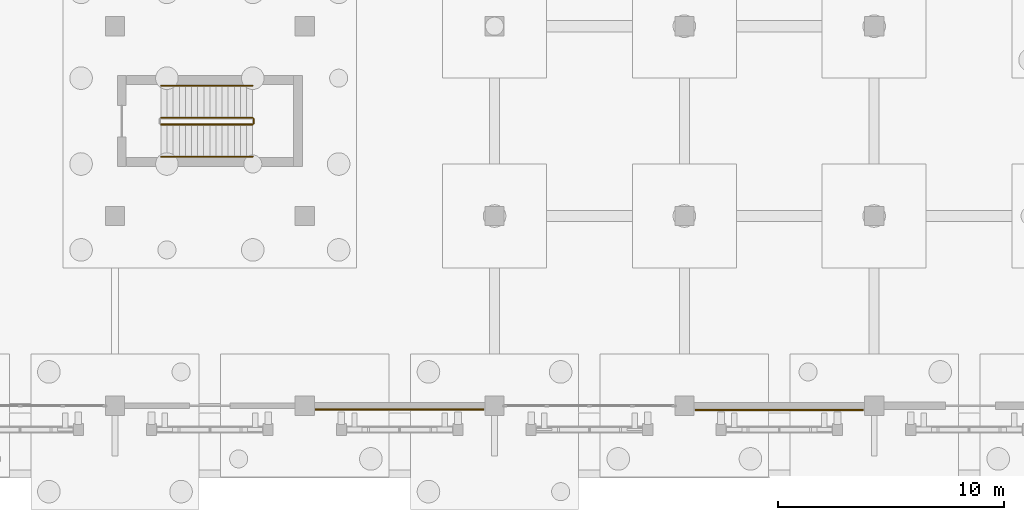
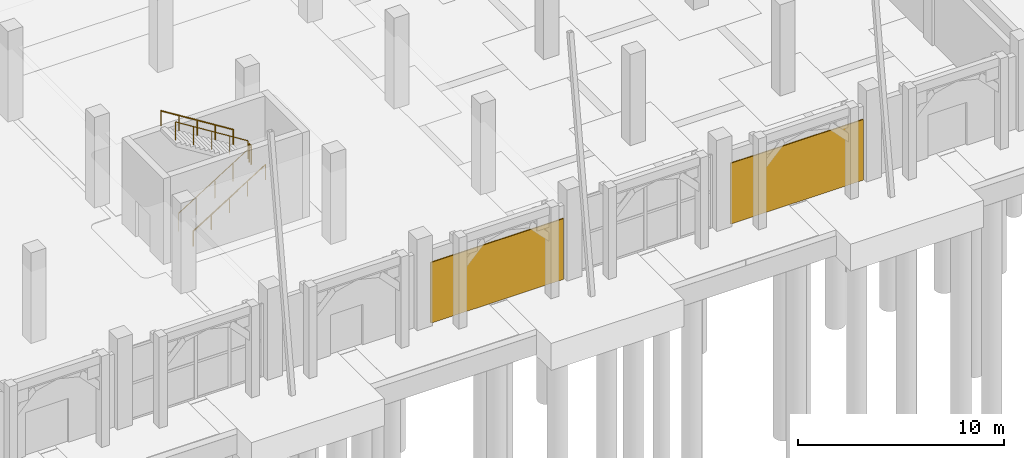
# One storey, part 79 of 98: 5 railings, 2 coverings.
"""IFC4 building model written with IfcOpenShell, lengths in metres."""

from ifc_helpers import new_model, si_unit, direction, frame, origin, origin_2d, place, context, subcontext, project, spatial, rectangle, circle, extrude, material, layer, layer_set, type_object, element, save


model = new_model("IFC4")

# Units and contexts
model_context = context("Model", 3, precision=1e-05, world=origin(), true_north=direction((0.0, 1.0)))
body_context = subcontext(model_context, "Body", "Model", "MODEL_VIEW")
ifc_project = project(units=[si_unit("LENGTHUNIT", "METRE"), si_unit("AREAUNIT", "SQUARE_METRE"), si_unit("VOLUMEUNIT", "CUBIC_METRE"), si_unit("PLANEANGLEUNIT", "RADIAN"), si_unit("MASSUNIT", "GRAM", prefix="KILO")], contexts=[model_context])

# Site, building, storey
site_placement = place(None, origin())
site = spatial("IfcSite", under=ifc_project, at=site_placement, CompositionType="ELEMENT")
building_placement = place(site_placement, origin())
building = spatial("IfcBuilding", under=site, at=building_placement, Name="Xazarin Passage Department Store", CompositionType="ELEMENT")
storey_placement = place(building_placement, origin())
storey = spatial("IfcBuildingStorey", under=building, at=storey_placement, Name="L00", CompositionType="ELEMENT", Elevation=0.0)

# Coverings
ifc_material_1 = material(Name="Absheron limestone cladding", Category="masonry")
ifc_layer = layer(ifc_material_1, 0.06005859375)
ifc_layer_set = layer_set([ifc_layer], Name="Absheron limestone cladding")
covering_type = type_object("IfcCoveringType", Name="ARC-COV-CLD060", PredefinedType="CLADDING", material=ifc_layer_set)
for number, where, z_axis, x_axis, name in (
    (1, (37.800048828125, -0.169921875, 0.0), (0.0, 0.0, 1.0), (1.0, 0.0, 0.0), "L00 Absheron Limestone Plinth Cladding 184"),
    (2, (54.60009765625, -0.179931640625, 0.0), (0.0, 0.0, 1.0), (1.0, 0.0, 0.0), "L00 Absheron Limestone Plinth Cladding 185"),
):
    element("IfcCovering", number, at=place(storey_placement, frame(where, z_axis=z_axis, x_axis=x_axis)), inside=storey, type_object=covering_type, Name=name, PredefinedType="CLADDING", context=body_context, shape_type="SweptSolid", body=[
        extrude(rectangle(XDim=7.449951171875, YDim=0.06005859375, at=origin_2d()), origin(), (0.0, 0.0, 1.0), 3.60009765625),
    ])

# Railings
ifc_material_2 = material(Name="Steel S355", Category="steel")
railing_type_1 = type_object("IfcRailingType", Name="ARC-RL-GRD112", PredefinedType="GUARDRAIL", material=ifc_material_2)
railing_1_placement = place(storey_placement, frame((27.239990234375, 12.449951171875, 0.168701171875)))
element("IfcRailing", 3, at=railing_1_placement, inside=storey, type_object=railing_type_1, Name="L00 ST8 stair guard 1", PredefinedType="GUARDRAIL", context=body_context, shape_type="SweptSolid", body=[
    extrude(circle(Radius=0.02392578125, at=origin_2d()), frame((0.0, 0.0, 1.076171875), z_axis=(0.848001175806, 0.0, 0.529994345094), x_axis=(0.0, 1.0, 0.0)), (0.0, 0.0, 1.0), 4.77587890625),
    extrude(circle(Radius=0.02099609375, at=origin_2d()), origin(), (0.0, 0.0, 1.0), 1.0517578125),
    extrude(circle(Radius=0.02099609375, at=origin_2d()), frame((1.012451171875, 0.0, 0.6328125)), (0.0, 0.0, 1.0), 1.0517578125),
    extrude(circle(Radius=0.02099609375, at=origin_2d()), frame((2.02490234375, 0.0, 1.265625)), (0.0, 0.0, 1.0), 1.0517578125),
    extrude(circle(Radius=0.02099609375, at=origin_2d()), frame((3.03759765625, 0.0, 1.8984375)), (0.0, 0.0, 1.0), 1.0517578125),
    extrude(circle(Radius=0.02099609375, at=origin_2d()), frame((4.050048828125, 0.0, 2.53125)), (0.0, 0.0, 1.0), 1.0517578125),
])
railing_2_placement = place(storey_placement, frame((31.340087890625, 12.5, 2.699951171875)))
element("IfcRailing", 4, at=railing_2_placement, inside=storey, type_object=railing_type_1, Name="L00 ST8 stair guard 2", PredefinedType="GUARDRAIL", context=body_context, shape_type="SweptSolid", body=[
    extrude(circle(Radius=0.02392578125, at=origin_2d()), frame((0.0, 0.0, 1.076171875), z_axis=(0.0, 1.0, 0.0), x_axis=(-1.0, 0.0, 0.0)), (0.0, 0.0, 1.0), 0.199951171875),
    extrude(circle(Radius=0.02099609375, at=origin_2d()), origin(), (0.0, 0.0, 1.0), 1.0517578125),
    extrude(circle(Radius=0.02099609375, at=origin_2d()), frame((0.0, 0.199951171875, 0.0)), (0.0, 0.0, 1.0), 1.0517578125),
])
railing_3_placement = place(storey_placement, frame((31.2900390625, 12.75, 2.86865234375)))
element("IfcRailing", 5, at=railing_3_placement, inside=storey, type_object=railing_type_1, Name="L00 ST8 stair guard 3", PredefinedType="GUARDRAIL", context=body_context, shape_type="SweptSolid", body=[
    extrude(circle(Radius=0.02392578125, at=origin_2d()), frame((0.0, 0.0, 1.076171875), z_axis=(-0.848001175806, 0.0, 0.529994345094), x_axis=(0.0, -1.0, 0.0)), (0.0, 0.0, 1.0), 4.77587890625),
    extrude(circle(Radius=0.02099609375, at=origin_2d()), origin(), (0.0, 0.0, 1.0), 1.0517578125),
    extrude(circle(Radius=0.02099609375, at=origin_2d()), frame((-1.012451171875, 0.0, 0.6328125)), (0.0, 0.0, 1.0), 1.0517578125),
    extrude(circle(Radius=0.02099609375, at=origin_2d()), frame((-2.02490234375, 0.0, 1.265625)), (0.0, 0.0, 1.0), 1.0517578125),
    extrude(circle(Radius=0.02099609375, at=origin_2d()), frame((-3.03759765625, 0.0, 1.8984375)), (0.0, 0.0, 1.0), 1.0517578125),
    extrude(circle(Radius=0.02099609375, at=origin_2d()), frame((-4.050048828125, 0.0, 2.53125)), (0.0, 0.0, 1.0), 1.0517578125),
])
railing_type_2 = type_object("IfcRailingType", Name="ARC-RL-HND090", PredefinedType="HANDRAIL", material=ifc_material_2)
railing_4_placement = place(storey_placement, frame((27.239990234375, 11.030029296875, 0.168701171875)))
element("IfcRailing", 6, at=railing_4_placement, inside=storey, type_object=railing_type_2, Name="L00 ST8 stair handrail 1", PredefinedType="HANDRAIL", context=body_context, shape_type="SweptSolid", body=[
    extrude(circle(Radius=0.02392578125, at=origin_2d()), frame((0.0, 0.0, 0.8759765625), z_axis=(0.848001175806, 0.0, 0.529994345094), x_axis=(0.0, 1.0, 0.0)), (0.0, 0.0, 1.0), 4.77587890625),
    extrude(circle(Radius=0.02099609375, at=origin_2d()), origin(), (0.0, 0.0, 1.0), 0.8515625),
    extrude(circle(Radius=0.02099609375, at=origin_2d()), frame((1.012451171875, 0.0, 0.6328125)), (0.0, 0.0, 1.0), 0.8515625),
    extrude(circle(Radius=0.02099609375, at=origin_2d()), frame((2.02490234375, 0.0, 1.265625)), (0.0, 0.0, 1.0), 0.8515625),
    extrude(circle(Radius=0.02099609375, at=origin_2d()), frame((3.03759765625, 0.0, 1.8984375)), (0.0, 0.0, 1.0), 0.8515625),
    extrude(circle(Radius=0.02099609375, at=origin_2d()), frame((4.050048828125, 0.0, 2.53125)), (0.0, 0.0, 1.0), 0.8515625),
])
railing_5_placement = place(storey_placement, frame((31.2900390625, 14.169921875, 2.86865234375)))
element("IfcRailing", 7, at=railing_5_placement, inside=storey, type_object=railing_type_2, Name="L00 ST8 stair handrail 2", PredefinedType="HANDRAIL", context=body_context, shape_type="SweptSolid", body=[
    extrude(circle(Radius=0.02392578125, at=origin_2d()), frame((0.0, 0.0, 0.8759765625), z_axis=(-0.848001175806, 0.0, 0.529994345094), x_axis=(0.0, -1.0, 0.0)), (0.0, 0.0, 1.0), 4.77587890625),
    extrude(circle(Radius=0.02099609375, at=origin_2d()), origin(), (0.0, 0.0, 1.0), 0.8515625),
    extrude(circle(Radius=0.02099609375, at=origin_2d()), frame((-1.012451171875, 0.0, 0.6328125)), (0.0, 0.0, 1.0), 0.8515625),
    extrude(circle(Radius=0.02099609375, at=origin_2d()), frame((-2.02490234375, 0.0, 1.265625)), (0.0, 0.0, 1.0), 0.8515625),
    extrude(circle(Radius=0.02099609375, at=origin_2d()), frame((-3.03759765625, 0.0, 1.8984375)), (0.0, 0.0, 1.0), 0.8515625),
    extrude(circle(Radius=0.02099609375, at=origin_2d()), frame((-4.050048828125, 0.0, 2.53125)), (0.0, 0.0, 1.0), 0.8515625),
])

save(model, "model.ifc")
